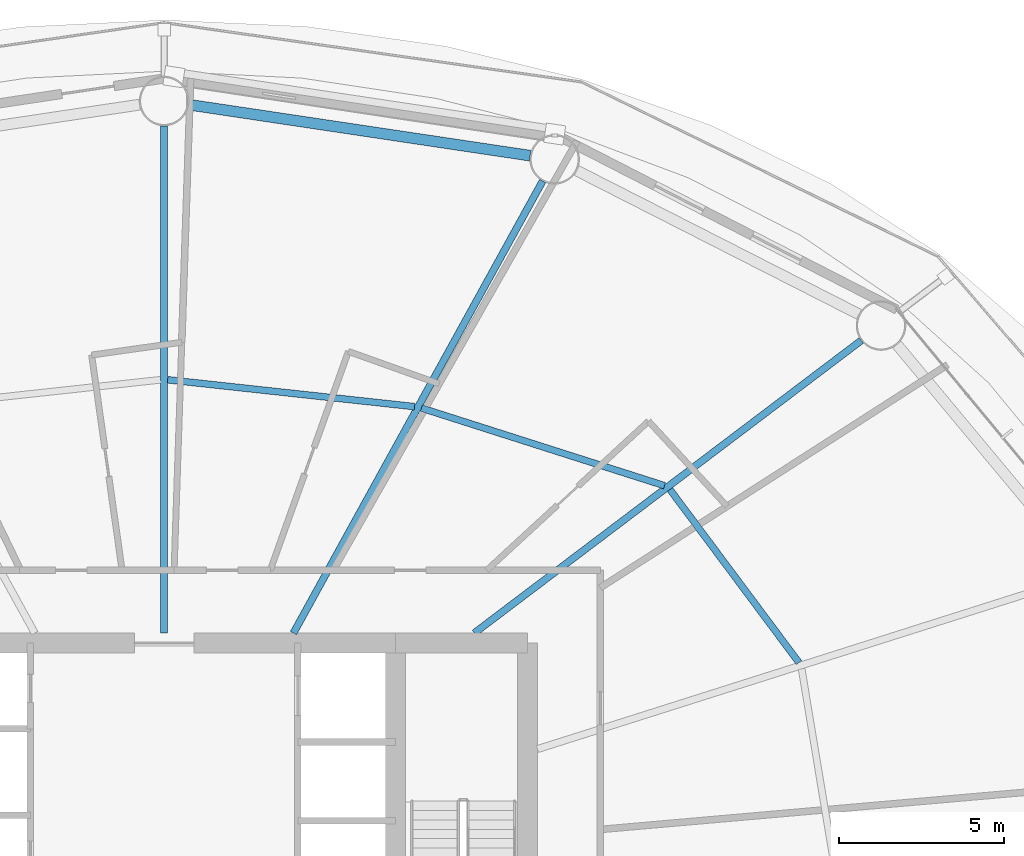
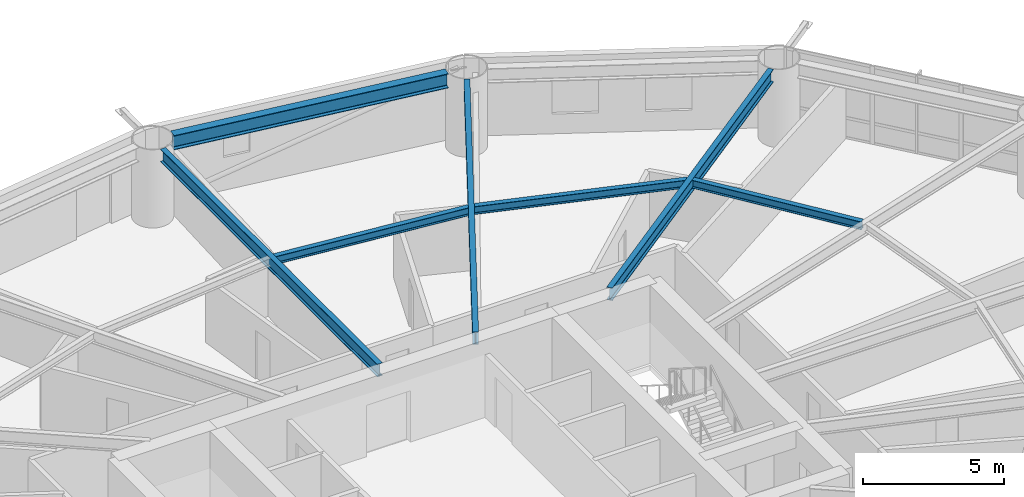
# One storey, part 13 of 26: 7 beams.
"""IFC4 building model written with IfcOpenShell, lengths in metres."""

from ifc_helpers import new_model, si_unit, direction, frame, origin, origin_2d, place, context, subcontext, project, spatial, i_section, extrude, material, material_profile, profile_set, type_object, element, save


model = new_model("IFC4")

# Units and contexts
model_context = context("Model", 3, precision=1e-05, world=origin(), true_north=direction((0.0, 1.0)))
body_context = subcontext(model_context, "Body", "Model", "MODEL_VIEW")
ifc_project = project(units=[si_unit("LENGTHUNIT", "METRE"), si_unit("AREAUNIT", "SQUARE_METRE"), si_unit("VOLUMEUNIT", "CUBIC_METRE"), si_unit("PLANEANGLEUNIT", "RADIAN"), si_unit("MASSUNIT", "GRAM", prefix="KILO")], contexts=[model_context])

# Site, building, storey
site_placement = place(None, origin())
site = spatial("IfcSite", under=ifc_project, at=site_placement, CompositionType="ELEMENT")
building_placement = place(site_placement, origin())
building = spatial("IfcBuilding", under=site, at=building_placement, Name="Sarneth Arch Tower", CompositionType="ELEMENT")
storey_placement = place(building_placement, frame((0.0, 0.0, 35.39990234375)))
storey = spatial("IfcBuildingStorey", under=building, at=storey_placement, Name="L07", CompositionType="ELEMENT", Elevation=35.39990234375)

# Beams
ifc_material_1 = material(Name="Steel S355", Category="steel")
ifc_material_profile_1 = material_profile(ifc_material_1, i_section(OverallWidth=0.202880859375, OverallDepth=0.346923828125, WebThickness=0.0078125, FlangeThickness=0.013427734375, FilletRadius=0.014892578125, at=origin_2d()), Name="W360x64")
ifc_profile_set_1 = profile_set([ifc_material_profile_1], Name="Steel S355")
beam_type_1 = type_object("IfcBeamType", Name="BM-JOIST-360C", PredefinedType="JOIST", material=ifc_profile_set_1)
beam_1_placement = place(storey_placement, frame((67.21142578125, 48.205078125, 3.20654296875), z_axis=(-0.597700490469, 0.801719479428, 0.0), x_axis=(-0.801719479428, -0.597700490469, 0.0)))
element("IfcBeam", 1, at=beam_1_placement, inside=storey, type_object=beam_type_1, Name="L07 Secondary floor joist 02", PredefinedType="JOIST", context=body_context, shape_type="SweptSolid", body=[
    extrude(i_section(OverallWidth=0.202880859375, OverallDepth=0.346923828125, WebThickness=0.0078125, FlangeThickness=0.013427734375, FilletRadius=0.014892578125, at=origin_2d()), origin(), (0.0, 0.0, 1.0), 6.5302734375),
])
beam_2_placement = place(storey_placement, frame((63.142333984375, 53.558837890625, 3.20654296875), z_axis=(-0.95266836992, 0.304011475036, 0.0), x_axis=(-0.304011475036, -0.95266836992, 0.0)))
element("IfcBeam", 2, at=beam_2_placement, inside=storey, type_object=beam_type_1, Name="L07 Secondary floor joist 03", PredefinedType="JOIST", context=body_context, shape_type="SweptSolid", body=[
    extrude(i_section(OverallWidth=0.202880859375, OverallDepth=0.346923828125, WebThickness=0.0078125, FlangeThickness=0.013427734375, FilletRadius=0.014892578125, at=origin_2d()), origin(), (0.0, 0.0, 1.0), 7.720703125),
])
beam_3_placement = place(storey_placement, frame((55.578857421875, 55.9501953125, 3.20654296875), z_axis=(-0.994129966112, 0.108192469602, 0.0), x_axis=(-0.108192469602, -0.994129966112, 0.0)))
element("IfcBeam", 3, at=beam_3_placement, inside=storey, type_object=beam_type_1, Name="L07 Secondary floor joist 04", PredefinedType="JOIST", context=body_context, shape_type="SweptSolid", body=[
    extrude(i_section(OverallWidth=0.202880859375, OverallDepth=0.346923828125, WebThickness=0.0078125, FlangeThickness=0.013427734375, FilletRadius=0.014892578125, at=origin_2d()), origin(), (0.0, 0.0, 1.0), 7.5166015625),
])
ifc_material_2 = material(Name="Steel S355", Category="steel")
ifc_material_profile_2 = material_profile(ifc_material_2, i_section(OverallWidth=0.214111328125, OverallDepth=0.549072265625, WebThickness=0.0146484375, FlangeThickness=0.023681640625, FilletRadius=0.01806640625, at=origin_2d()), Name="W530x138")
ifc_profile_set_2 = profile_set([ifc_material_profile_2], Name="Steel S355")
beam_type_2 = type_object("IfcBeamType", Name="BM-RAD-530A", PredefinedType="BEAM", material=ifc_profile_set_2)
beam_4_placement = place(storey_placement, frame((57.390380859375, 49.10009765625, 3.105712890625), z_axis=(0.79765464731, 0.603114469753, 0.0), x_axis=(-0.603114469753, 0.79765464731, 0.0)))
element("IfcBeam", 4, at=beam_4_placement, inside=storey, type_object=beam_type_2, Name="L07 Radial floor girder 03", PredefinedType="BEAM", context=body_context, shape_type="SweptSolid", body=[
    extrude(i_section(OverallWidth=0.214111328125, OverallDepth=0.549072265625, WebThickness=0.0146484375, FlangeThickness=0.023681640625, FilletRadius=0.01806640625, at=origin_2d()), origin(), (0.0, 0.0, 1.0), 14.677978515625),
])
beam_5_placement = place(storey_placement, frame((51.91455078125, 49.10009765625, 3.105712890625), z_axis=(0.482841370957, 0.875707833979, 0.0), x_axis=(-0.875707833979, 0.482841370957, 0.0)))
element("IfcBeam", 5, at=beam_5_placement, inside=storey, type_object=beam_type_2, Name="L07 Radial floor girder 04", PredefinedType="BEAM", context=body_context, shape_type="SweptSolid", body=[
    extrude(i_section(OverallWidth=0.214111328125, OverallDepth=0.549072265625, WebThickness=0.0146484375, FlangeThickness=0.023681640625, FilletRadius=0.01806640625, at=origin_2d()), origin(), (0.0, 0.0, 1.0), 15.618408203125),
])
beam_6_placement = place(storey_placement, frame((48.0, 49.10009765625, 3.105712890625), z_axis=(0.0, 1.0, 0.0), x_axis=(-1.0, 0.0, 0.0)))
element("IfcBeam", 6, at=beam_6_placement, inside=storey, type_object=beam_type_2, Name="L07 Radial floor girder 05", PredefinedType="BEAM", context=body_context, shape_type="SweptSolid", body=[
    extrude(i_section(OverallWidth=0.214111328125, OverallDepth=0.549072265625, WebThickness=0.0146484375, FlangeThickness=0.023681640625, FilletRadius=0.01806640625, at=origin_2d()), origin(), (0.0, 0.0, 1.0), 15.349853515625),
])
ifc_material_3 = material(Name="Steel S355", Category="steel")
ifc_material_profile_3 = material_profile(ifc_material_3, i_section(OverallWidth=0.326904296875, OverallDepth=0.6220703125, WebThickness=0.015380859375, FlangeThickness=0.0244140625, FilletRadius=0.01904296875, at=origin_2d()), Name="W610x195")
ifc_profile_set_3 = profile_set([ifc_material_profile_3], Name="Steel S355")
beam_type_3 = type_object("IfcBeamType", Name="BM-SPAN-610A", PredefinedType="SPANDREL", material=ifc_profile_set_3)
beam_7_placement = place(storey_placement, frame((59.076171875, 63.544921875, 3.069091796875), z_axis=(-0.989020169581, 0.147780594675, 0.0), x_axis=(-0.147780594675, -0.989020169581, 0.0)))
element("IfcBeam", 7, at=beam_7_placement, inside=storey, type_object=beam_type_3, Name="L07 Perimeter spandrel beam 04", PredefinedType="SPANDREL", context=body_context, shape_type="SweptSolid", body=[
    extrude(i_section(OverallWidth=0.326904296875, OverallDepth=0.6220703125, WebThickness=0.015380859375, FlangeThickness=0.0244140625, FilletRadius=0.01904296875, at=origin_2d()), origin(), (0.0, 0.0, 1.0), 10.44921875),
])

save(model, "model.ifc")
